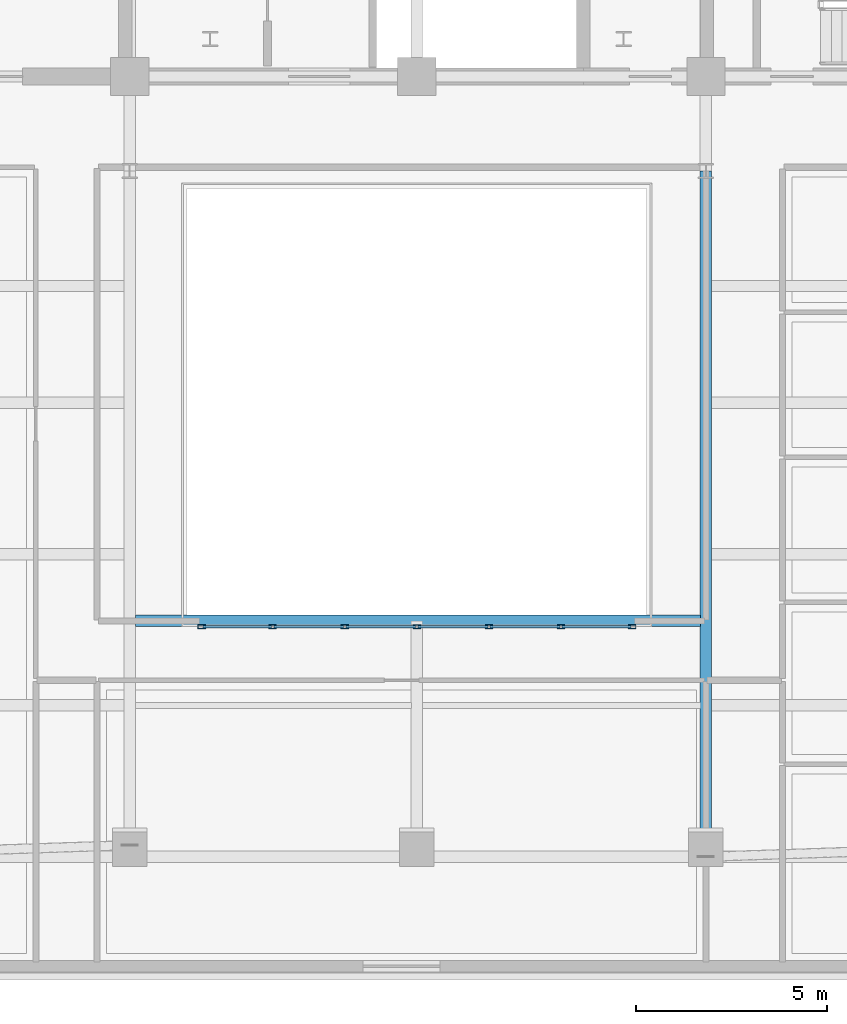
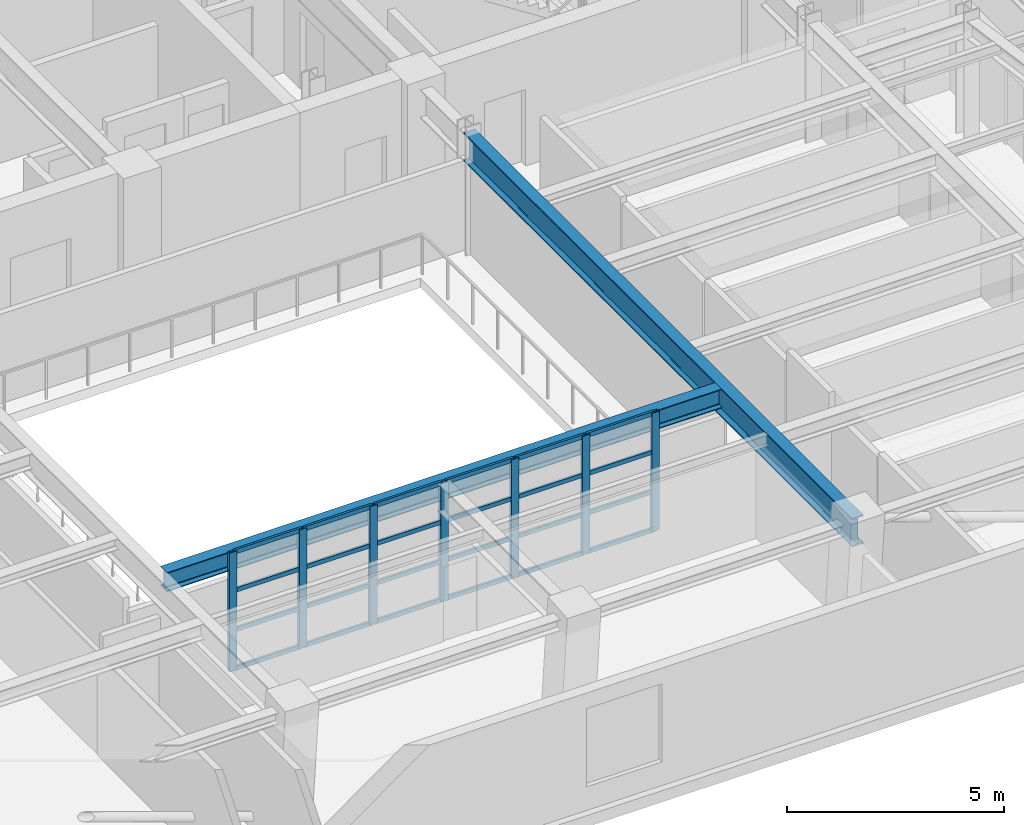
# One storey, part 2 of 13: 31 members, 2 beams, 1 element without a shape of its own.
"""IFC4 building model written with IfcOpenShell, lengths in metres."""

from ifc_helpers import new_model, si_unit, direction, frame, origin, origin_2d, place, context, subcontext, project, spatial, hollow_rectangle, i_section, extrude, material, layer, layer_set, material_profile, profile_set, type_object, element, aggregate, save


model = new_model("IFC4")

# Units and contexts
model_context = context("Model", 3, precision=1e-05, world=origin(), true_north=direction((0.0, 1.0)))
body_context = subcontext(model_context, "Body", "Model", "MODEL_VIEW")
ifc_project = project(units=[si_unit("LENGTHUNIT", "METRE"), si_unit("AREAUNIT", "SQUARE_METRE"), si_unit("VOLUMEUNIT", "CUBIC_METRE"), si_unit("PLANEANGLEUNIT", "RADIAN"), si_unit("MASSUNIT", "GRAM", prefix="KILO")], contexts=[model_context])

# Site, building, storey
site_placement = place(None, origin())
site = spatial("IfcSite", under=ifc_project, at=site_placement, CompositionType="ELEMENT")
building_placement = place(site_placement, origin())
building = spatial("IfcBuilding", under=site, at=building_placement, Name="Zarnavel Station Tower", CompositionType="ELEMENT")
storey_placement = place(building_placement, frame((0.0, 0.0, 204.0)))
storey = spatial("IfcBuildingStorey", under=building, at=storey_placement, Name="L55", CompositionType="ELEMENT", Elevation=204.0)

# Curtain wall, members
ifc_material_1 = material(Name="Aluminium Dark Anodised and Solar-Control Glass", Category="aluminium")
ifc_layer = layer(ifc_material_1, 0.179931640625)
ifc_layer_set = layer_set([ifc_layer], Name="CWS5")
curtain_wall_type = type_object("IfcCurtainWallType", Name="CWS5", PredefinedType="NOTDEFINED", material=ifc_layer_set)
curtain_wall_placement = place(storey_placement, origin())
curtain_wall = element("IfcCurtainWall", 1, at=curtain_wall_placement, inside=storey, type_object=curtain_wall_type, Name="L55 Curtain Wall CWS5-L55-AS", PredefinedType="NOTDEFINED")
ifc_material_2 = material(Name="Steel S355J2 (Black Fluoropolymer Coated)", Category="steel")
ifc_material_profile_1 = material_profile(ifc_material_2, hollow_rectangle(XDim=0.10009765625, YDim=0.199951171875, WallThickness=0.008056640625, at=origin_2d()), Name="RHS200x100x8")
ifc_profile_set_1 = profile_set([ifc_material_profile_1], Name="Steel S355J2 (Black Fluoropolymer Coated)")
member_type_1 = type_object("IfcMemberType", Name="CWS5_MUL", PredefinedType="MULLION", material=ifc_profile_set_1)
member_1_placement = place(storey_placement, frame((23.179931640625, 13.449951171875, 0.0), z_axis=(0.0, 0.0, 1.0), x_axis=(0.0, 1.0, 0.0)))
member_1 = element("IfcMember", 2, at=member_1_placement, type_object=member_type_1, Name="CW5 mullion 1", PredefinedType="MULLION", context=body_context, shape_type="SweptSolid", body=[
    extrude(hollow_rectangle(XDim=0.10009765625, YDim=0.199951171875, WallThickness=0.008056640625, at=origin_2d()), origin(), (0.0, 0.0, 1.0), 3.340087890625),
])
member_2_placement = place(storey_placement, frame((25.033447265625, 13.449951171875, 0.0), z_axis=(0.0, 0.0, 1.0), x_axis=(0.0, 1.0, 0.0)))
member_2 = element("IfcMember", 3, at=member_2_placement, type_object=member_type_1, Name="CW5 mullion 2", PredefinedType="MULLION", context=body_context, shape_type="SweptSolid", body=[
    extrude(hollow_rectangle(XDim=0.10009765625, YDim=0.199951171875, WallThickness=0.008056640625, at=origin_2d()), origin(), (0.0, 0.0, 1.0), 3.340087890625),
])
member_3_placement = place(storey_placement, frame((26.916748046875, 13.449951171875, 0.0), z_axis=(0.0, 0.0, 1.0), x_axis=(0.0, 1.0, 0.0)))
member_3 = element("IfcMember", 4, at=member_3_placement, type_object=member_type_1, Name="CW5 mullion 3", PredefinedType="MULLION", context=body_context, shape_type="SweptSolid", body=[
    extrude(hollow_rectangle(XDim=0.10009765625, YDim=0.199951171875, WallThickness=0.008056640625, at=origin_2d()), origin(), (0.0, 0.0, 1.0), 3.340087890625),
])
member_4_placement = place(storey_placement, frame((28.800048828125, 13.449951171875, 0.0), z_axis=(0.0, 0.0, 1.0), x_axis=(0.0, 1.0, 0.0)))
member_4 = element("IfcMember", 5, at=member_4_placement, type_object=member_type_1, Name="CW5 mullion 4", PredefinedType="MULLION", context=body_context, shape_type="SweptSolid", body=[
    extrude(hollow_rectangle(XDim=0.10009765625, YDim=0.199951171875, WallThickness=0.008056640625, at=origin_2d()), origin(), (0.0, 0.0, 1.0), 3.340087890625),
])
member_5_placement = place(storey_placement, frame((30.683349609375, 13.449951171875, 0.0), z_axis=(0.0, 0.0, 1.0), x_axis=(0.0, 1.0, 0.0)))
member_5 = element("IfcMember", 6, at=member_5_placement, type_object=member_type_1, Name="CW5 mullion 5", PredefinedType="MULLION", context=body_context, shape_type="SweptSolid", body=[
    extrude(hollow_rectangle(XDim=0.10009765625, YDim=0.199951171875, WallThickness=0.008056640625, at=origin_2d()), origin(), (0.0, 0.0, 1.0), 3.340087890625),
])
member_6_placement = place(storey_placement, frame((32.566650390625, 13.449951171875, 0.0), z_axis=(0.0, 0.0, 1.0), x_axis=(0.0, 1.0, 0.0)))
member_6 = element("IfcMember", 7, at=member_6_placement, type_object=member_type_1, Name="CW5 mullion 6", PredefinedType="MULLION", context=body_context, shape_type="SweptSolid", body=[
    extrude(hollow_rectangle(XDim=0.10009765625, YDim=0.199951171875, WallThickness=0.008056640625, at=origin_2d()), origin(), (0.0, 0.0, 1.0), 3.340087890625),
])
member_7_placement = place(storey_placement, frame((34.419921875, 13.449951171875, 0.0), z_axis=(0.0, 0.0, 1.0), x_axis=(0.0, 1.0, 0.0)))
member_7 = element("IfcMember", 8, at=member_7_placement, type_object=member_type_1, Name="CW5 mullion 7", PredefinedType="MULLION", context=body_context, shape_type="SweptSolid", body=[
    extrude(hollow_rectangle(XDim=0.10009765625, YDim=0.199951171875, WallThickness=0.008056640625, at=origin_2d()), origin(), (0.0, 0.0, 1.0), 3.340087890625),
])
ifc_material_3 = material(Name="Steel S355J2 (Black Fluoropolymer Coated)", Category="steel")
ifc_material_profile_2 = material_profile(ifc_material_3, hollow_rectangle(XDim=0.06005859375, YDim=0.1201171875, WallThickness=0.0048828125, at=origin_2d()), Name="RHS120x60x5")
ifc_profile_set_2 = profile_set([ifc_material_profile_2], Name="Steel S355J2 (Black Fluoropolymer Coated)")
member_type_2 = type_object("IfcMemberType", Name="CWS5_TRN", PredefinedType="USERDEFINED", material=ifc_profile_set_2)
member_8_placement = place(storey_placement, frame((23.2099609375, 13.449951171875, 0.030029296875), z_axis=(1.0, 0.0, 0.0), x_axis=(0.0, 1.0, 0.0)))
member_8 = element("IfcMember", 9, at=member_8_placement, type_object=member_type_2, Name="CW5 transom 1.1", ObjectType="TRANSOM", PredefinedType="USERDEFINED", context=body_context, shape_type="SweptSolid", body=[
    extrude(hollow_rectangle(XDim=0.06005859375, YDim=0.1201171875, WallThickness=0.0048828125, at=origin_2d()), origin(), (0.0, 0.0, 1.0), 1.79345703125),
])
member_9_placement = place(storey_placement, frame((23.2099609375, 13.449951171875, 1.11328125), z_axis=(1.0, 0.0, 0.0), x_axis=(0.0, 1.0, 0.0)))
member_9 = element("IfcMember", 10, at=member_9_placement, type_object=member_type_2, Name="CW5 transom 1.2", ObjectType="TRANSOM", PredefinedType="USERDEFINED", context=body_context, shape_type="SweptSolid", body=[
    extrude(hollow_rectangle(XDim=0.06005859375, YDim=0.1201171875, WallThickness=0.0048828125, at=origin_2d()), origin(), (0.0, 0.0, 1.0), 1.79345703125),
])
member_10_placement = place(storey_placement, frame((23.2099609375, 13.449951171875, 2.226806640625), z_axis=(1.0, 0.0, 0.0), x_axis=(0.0, 1.0, 0.0)))
member_10 = element("IfcMember", 11, at=member_10_placement, type_object=member_type_2, Name="CW5 transom 1.3", ObjectType="TRANSOM", PredefinedType="USERDEFINED", context=body_context, shape_type="SweptSolid", body=[
    extrude(hollow_rectangle(XDim=0.06005859375, YDim=0.1201171875, WallThickness=0.0048828125, at=origin_2d()), origin(), (0.0, 0.0, 1.0), 1.79345703125),
])
member_11_placement = place(storey_placement, frame((23.2099609375, 13.449951171875, 3.31005859375), z_axis=(1.0, 0.0, 0.0), x_axis=(0.0, 1.0, 0.0)))
member_11 = element("IfcMember", 12, at=member_11_placement, type_object=member_type_2, Name="CW5 transom 1.4", ObjectType="TRANSOM", PredefinedType="USERDEFINED", context=body_context, shape_type="SweptSolid", body=[
    extrude(hollow_rectangle(XDim=0.06005859375, YDim=0.1201171875, WallThickness=0.0048828125, at=origin_2d()), origin(), (0.0, 0.0, 1.0), 1.79345703125),
])
member_12_placement = place(storey_placement, frame((25.063232421875, 13.449951171875, 0.030029296875), z_axis=(1.0, 0.0, 0.0), x_axis=(0.0, 1.0, 0.0)))
member_12 = element("IfcMember", 13, at=member_12_placement, type_object=member_type_2, Name="CW5 transom 2.1", ObjectType="TRANSOM", PredefinedType="USERDEFINED", context=body_context, shape_type="SweptSolid", body=[
    extrude(hollow_rectangle(XDim=0.06005859375, YDim=0.1201171875, WallThickness=0.0048828125, at=origin_2d()), origin(), (0.0, 0.0, 1.0), 1.823486328125),
])
member_13_placement = place(storey_placement, frame((25.063232421875, 13.449951171875, 1.11328125), z_axis=(1.0, 0.0, 0.0), x_axis=(0.0, 1.0, 0.0)))
member_13 = element("IfcMember", 14, at=member_13_placement, type_object=member_type_2, Name="CW5 transom 2.2", ObjectType="TRANSOM", PredefinedType="USERDEFINED", context=body_context, shape_type="SweptSolid", body=[
    extrude(hollow_rectangle(XDim=0.06005859375, YDim=0.1201171875, WallThickness=0.0048828125, at=origin_2d()), origin(), (0.0, 0.0, 1.0), 1.823486328125),
])
member_14_placement = place(storey_placement, frame((25.063232421875, 13.449951171875, 2.226806640625), z_axis=(1.0, 0.0, 0.0), x_axis=(0.0, 1.0, 0.0)))
member_14 = element("IfcMember", 15, at=member_14_placement, type_object=member_type_2, Name="CW5 transom 2.3", ObjectType="TRANSOM", PredefinedType="USERDEFINED", context=body_context, shape_type="SweptSolid", body=[
    extrude(hollow_rectangle(XDim=0.06005859375, YDim=0.1201171875, WallThickness=0.0048828125, at=origin_2d()), origin(), (0.0, 0.0, 1.0), 1.823486328125),
])
member_15_placement = place(storey_placement, frame((25.063232421875, 13.449951171875, 3.31005859375), z_axis=(1.0, 0.0, 0.0), x_axis=(0.0, 1.0, 0.0)))
member_15 = element("IfcMember", 16, at=member_15_placement, type_object=member_type_2, Name="CW5 transom 2.4", ObjectType="TRANSOM", PredefinedType="USERDEFINED", context=body_context, shape_type="SweptSolid", body=[
    extrude(hollow_rectangle(XDim=0.06005859375, YDim=0.1201171875, WallThickness=0.0048828125, at=origin_2d()), origin(), (0.0, 0.0, 1.0), 1.823486328125),
])
member_16_placement = place(storey_placement, frame((26.94677734375, 13.449951171875, 0.030029296875), z_axis=(1.0, 0.0, 0.0), x_axis=(0.0, 1.0, 0.0)))
member_16 = element("IfcMember", 17, at=member_16_placement, type_object=member_type_2, Name="CW5 transom 3.1", ObjectType="TRANSOM", PredefinedType="USERDEFINED", context=body_context, shape_type="SweptSolid", body=[
    extrude(hollow_rectangle(XDim=0.06005859375, YDim=0.1201171875, WallThickness=0.0048828125, at=origin_2d()), origin(), (0.0, 0.0, 1.0), 1.8232421875),
])
member_17_placement = place(storey_placement, frame((26.94677734375, 13.449951171875, 1.11328125), z_axis=(1.0, 0.0, 0.0), x_axis=(0.0, 1.0, 0.0)))
member_17 = element("IfcMember", 18, at=member_17_placement, type_object=member_type_2, Name="CW5 transom 3.2", ObjectType="TRANSOM", PredefinedType="USERDEFINED", context=body_context, shape_type="SweptSolid", body=[
    extrude(hollow_rectangle(XDim=0.06005859375, YDim=0.1201171875, WallThickness=0.0048828125, at=origin_2d()), origin(), (0.0, 0.0, 1.0), 1.8232421875),
])
member_18_placement = place(storey_placement, frame((26.94677734375, 13.449951171875, 2.226806640625), z_axis=(1.0, 0.0, 0.0), x_axis=(0.0, 1.0, 0.0)))
member_18 = element("IfcMember", 19, at=member_18_placement, type_object=member_type_2, Name="CW5 transom 3.3", ObjectType="TRANSOM", PredefinedType="USERDEFINED", context=body_context, shape_type="SweptSolid", body=[
    extrude(hollow_rectangle(XDim=0.06005859375, YDim=0.1201171875, WallThickness=0.0048828125, at=origin_2d()), origin(), (0.0, 0.0, 1.0), 1.8232421875),
])
member_19_placement = place(storey_placement, frame((26.94677734375, 13.449951171875, 3.31005859375), z_axis=(1.0, 0.0, 0.0), x_axis=(0.0, 1.0, 0.0)))
member_19 = element("IfcMember", 20, at=member_19_placement, type_object=member_type_2, Name="CW5 transom 3.4", ObjectType="TRANSOM", PredefinedType="USERDEFINED", context=body_context, shape_type="SweptSolid", body=[
    extrude(hollow_rectangle(XDim=0.06005859375, YDim=0.1201171875, WallThickness=0.0048828125, at=origin_2d()), origin(), (0.0, 0.0, 1.0), 1.8232421875),
])
member_20_placement = place(storey_placement, frame((28.830078125, 13.449951171875, 0.030029296875), z_axis=(1.0, 0.0, 0.0), x_axis=(0.0, 1.0, 0.0)))
member_20 = element("IfcMember", 21, at=member_20_placement, type_object=member_type_2, Name="CW5 transom 4.1", ObjectType="TRANSOM", PredefinedType="USERDEFINED", context=body_context, shape_type="SweptSolid", body=[
    extrude(hollow_rectangle(XDim=0.06005859375, YDim=0.1201171875, WallThickness=0.0048828125, at=origin_2d()), origin(), (0.0, 0.0, 1.0), 1.8232421875),
])
member_21_placement = place(storey_placement, frame((28.830078125, 13.449951171875, 1.11328125), z_axis=(1.0, 0.0, 0.0), x_axis=(0.0, 1.0, 0.0)))
member_21 = element("IfcMember", 22, at=member_21_placement, type_object=member_type_2, Name="CW5 transom 4.2", ObjectType="TRANSOM", PredefinedType="USERDEFINED", context=body_context, shape_type="SweptSolid", body=[
    extrude(hollow_rectangle(XDim=0.06005859375, YDim=0.1201171875, WallThickness=0.0048828125, at=origin_2d()), origin(), (0.0, 0.0, 1.0), 1.8232421875),
])
member_22_placement = place(storey_placement, frame((28.830078125, 13.449951171875, 2.226806640625), z_axis=(1.0, 0.0, 0.0), x_axis=(0.0, 1.0, 0.0)))
member_22 = element("IfcMember", 23, at=member_22_placement, type_object=member_type_2, Name="CW5 transom 4.3", ObjectType="TRANSOM", PredefinedType="USERDEFINED", context=body_context, shape_type="SweptSolid", body=[
    extrude(hollow_rectangle(XDim=0.06005859375, YDim=0.1201171875, WallThickness=0.0048828125, at=origin_2d()), origin(), (0.0, 0.0, 1.0), 1.8232421875),
])
member_23_placement = place(storey_placement, frame((28.830078125, 13.449951171875, 3.31005859375), z_axis=(1.0, 0.0, 0.0), x_axis=(0.0, 1.0, 0.0)))
member_23 = element("IfcMember", 24, at=member_23_placement, type_object=member_type_2, Name="CW5 transom 4.4", ObjectType="TRANSOM", PredefinedType="USERDEFINED", context=body_context, shape_type="SweptSolid", body=[
    extrude(hollow_rectangle(XDim=0.06005859375, YDim=0.1201171875, WallThickness=0.0048828125, at=origin_2d()), origin(), (0.0, 0.0, 1.0), 1.8232421875),
])
member_24_placement = place(storey_placement, frame((30.71337890625, 13.449951171875, 0.030029296875), z_axis=(1.0, 0.0, 0.0), x_axis=(0.0, 1.0, 0.0)))
member_24 = element("IfcMember", 25, at=member_24_placement, type_object=member_type_2, Name="CW5 transom 5.1", ObjectType="TRANSOM", PredefinedType="USERDEFINED", context=body_context, shape_type="SweptSolid", body=[
    extrude(hollow_rectangle(XDim=0.06005859375, YDim=0.1201171875, WallThickness=0.0048828125, at=origin_2d()), origin(), (0.0, 0.0, 1.0), 1.8232421875),
])
member_25_placement = place(storey_placement, frame((30.71337890625, 13.449951171875, 1.11328125), z_axis=(1.0, 0.0, 0.0), x_axis=(0.0, 1.0, 0.0)))
member_25 = element("IfcMember", 26, at=member_25_placement, type_object=member_type_2, Name="CW5 transom 5.2", ObjectType="TRANSOM", PredefinedType="USERDEFINED", context=body_context, shape_type="SweptSolid", body=[
    extrude(hollow_rectangle(XDim=0.06005859375, YDim=0.1201171875, WallThickness=0.0048828125, at=origin_2d()), origin(), (0.0, 0.0, 1.0), 1.8232421875),
])
member_26_placement = place(storey_placement, frame((30.71337890625, 13.449951171875, 2.226806640625), z_axis=(1.0, 0.0, 0.0), x_axis=(0.0, 1.0, 0.0)))
member_26 = element("IfcMember", 27, at=member_26_placement, type_object=member_type_2, Name="CW5 transom 5.3", ObjectType="TRANSOM", PredefinedType="USERDEFINED", context=body_context, shape_type="SweptSolid", body=[
    extrude(hollow_rectangle(XDim=0.06005859375, YDim=0.1201171875, WallThickness=0.0048828125, at=origin_2d()), origin(), (0.0, 0.0, 1.0), 1.8232421875),
])
member_27_placement = place(storey_placement, frame((30.71337890625, 13.449951171875, 3.31005859375), z_axis=(1.0, 0.0, 0.0), x_axis=(0.0, 1.0, 0.0)))
member_27 = element("IfcMember", 28, at=member_27_placement, type_object=member_type_2, Name="CW5 transom 5.4", ObjectType="TRANSOM", PredefinedType="USERDEFINED", context=body_context, shape_type="SweptSolid", body=[
    extrude(hollow_rectangle(XDim=0.06005859375, YDim=0.1201171875, WallThickness=0.0048828125, at=origin_2d()), origin(), (0.0, 0.0, 1.0), 1.8232421875),
])
member_28_placement = place(storey_placement, frame((32.5966796875, 13.449951171875, 0.030029296875), z_axis=(1.0, 0.0, 0.0), x_axis=(0.0, 1.0, 0.0)))
member_28 = element("IfcMember", 29, at=member_28_placement, type_object=member_type_2, Name="CW5 transom 6.1", ObjectType="TRANSOM", PredefinedType="USERDEFINED", context=body_context, shape_type="SweptSolid", body=[
    extrude(hollow_rectangle(XDim=0.06005859375, YDim=0.1201171875, WallThickness=0.0048828125, at=origin_2d()), origin(), (0.0, 0.0, 1.0), 1.793212890625),
])
member_29_placement = place(storey_placement, frame((32.5966796875, 13.449951171875, 1.11328125), z_axis=(1.0, 0.0, 0.0), x_axis=(0.0, 1.0, 0.0)))
member_29 = element("IfcMember", 30, at=member_29_placement, type_object=member_type_2, Name="CW5 transom 6.2", ObjectType="TRANSOM", PredefinedType="USERDEFINED", context=body_context, shape_type="SweptSolid", body=[
    extrude(hollow_rectangle(XDim=0.06005859375, YDim=0.1201171875, WallThickness=0.0048828125, at=origin_2d()), origin(), (0.0, 0.0, 1.0), 1.793212890625),
])
member_30_placement = place(storey_placement, frame((32.5966796875, 13.449951171875, 2.226806640625), z_axis=(1.0, 0.0, 0.0), x_axis=(0.0, 1.0, 0.0)))
member_30 = element("IfcMember", 31, at=member_30_placement, type_object=member_type_2, Name="CW5 transom 6.3", ObjectType="TRANSOM", PredefinedType="USERDEFINED", context=body_context, shape_type="SweptSolid", body=[
    extrude(hollow_rectangle(XDim=0.06005859375, YDim=0.1201171875, WallThickness=0.0048828125, at=origin_2d()), origin(), (0.0, 0.0, 1.0), 1.793212890625),
])
member_31_placement = place(storey_placement, frame((32.5966796875, 13.449951171875, 3.31005859375), z_axis=(1.0, 0.0, 0.0), x_axis=(0.0, 1.0, 0.0)))
member_31 = element("IfcMember", 32, at=member_31_placement, type_object=member_type_2, Name="CW5 transom 6.4", ObjectType="TRANSOM", PredefinedType="USERDEFINED", context=body_context, shape_type="SweptSolid", body=[
    extrude(hollow_rectangle(XDim=0.06005859375, YDim=0.1201171875, WallThickness=0.0048828125, at=origin_2d()), origin(), (0.0, 0.0, 1.0), 1.793212890625),
])
aggregate(curtain_wall, [member_1, member_2, member_3, member_4, member_5, member_6, member_7, member_8, member_9, member_10, member_11, member_12, member_13, member_14, member_15, member_16, member_17, member_18, member_19, member_20, member_21, member_22, member_23, member_24, member_25, member_26, member_27, member_28, member_29, member_30, member_31])

# Beams
ifc_material_4 = material(Name="Steel S355J2", Category="steel")
ifc_material_profile_3 = material_profile(ifc_material_4, i_section(OverallWidth=0.300048828125, OverallDepth=0.5400390625, WebThickness=0.012451171875, FlangeThickness=0.02392578125, FilletRadius=0.027099609375, at=origin_2d()), Name="HEA550")
ifc_profile_set_3 = profile_set([ifc_material_profile_3], Name="Steel S355J2")
beam_type_1 = type_object("IfcBeamType", Name="FB_HEA550", PredefinedType="BEAM", material=ifc_profile_set_3)
beam_1_placement = place(storey_placement, frame((21.445068359375, 13.60009765625, 3.070068359375), z_axis=(1.0, 0.0, 0.0), x_axis=(0.0, 1.0, 0.0)))
element("IfcBeam", 33, at=beam_1_placement, inside=storey, type_object=beam_type_1, Name="L55 Atrium South Edge Girder", PredefinedType="BEAM", context=body_context, shape_type="SweptSolid", body=[
    extrude(i_section(OverallWidth=0.300048828125, OverallDepth=0.5400390625, WebThickness=0.012451171875, FlangeThickness=0.02392578125, FilletRadius=0.027099609375, at=origin_2d()), origin(), (0.0, 0.0, 1.0), 14.760009765625),
])
ifc_material_5 = material(Name="Steel S355J2", Category="steel")
ifc_material_profile_4 = material_profile(ifc_material_5, i_section(OverallWidth=0.300048828125, OverallDepth=0.800048828125, WebThickness=0.017578125, FlangeThickness=0.032958984375, FilletRadius=0.030029296875, at=origin_2d()), Name="HEB800")
ifc_profile_set_4 = profile_set([ifc_material_profile_4], Name="Steel S355J2")
beam_type_2 = type_object("IfcBeamType", Name="FG_HEB800", PredefinedType="USERDEFINED", material=ifc_profile_set_4)
beam_2_placement = place(storey_placement, frame((36.35009765625, 7.438720703125, 2.93994140625), z_axis=(0.0, 1.0, 0.0), x_axis=(-1.0, 0.0, 0.0)))
element("IfcBeam", 34, at=beam_2_placement, inside=storey, type_object=beam_type_2, Name="L55 South-Zone NS Girder 4", ObjectType="GIRDER", PredefinedType="USERDEFINED", context=body_context, shape_type="SweptSolid", body=[
    extrude(i_section(OverallWidth=0.300048828125, OverallDepth=0.800048828125, WebThickness=0.017578125, FlangeThickness=0.032958984375, FilletRadius=0.030029296875, at=origin_2d()), origin(), (0.0, 0.0, 1.0), 17.911376953125),
])

save(model, "model.ifc")
